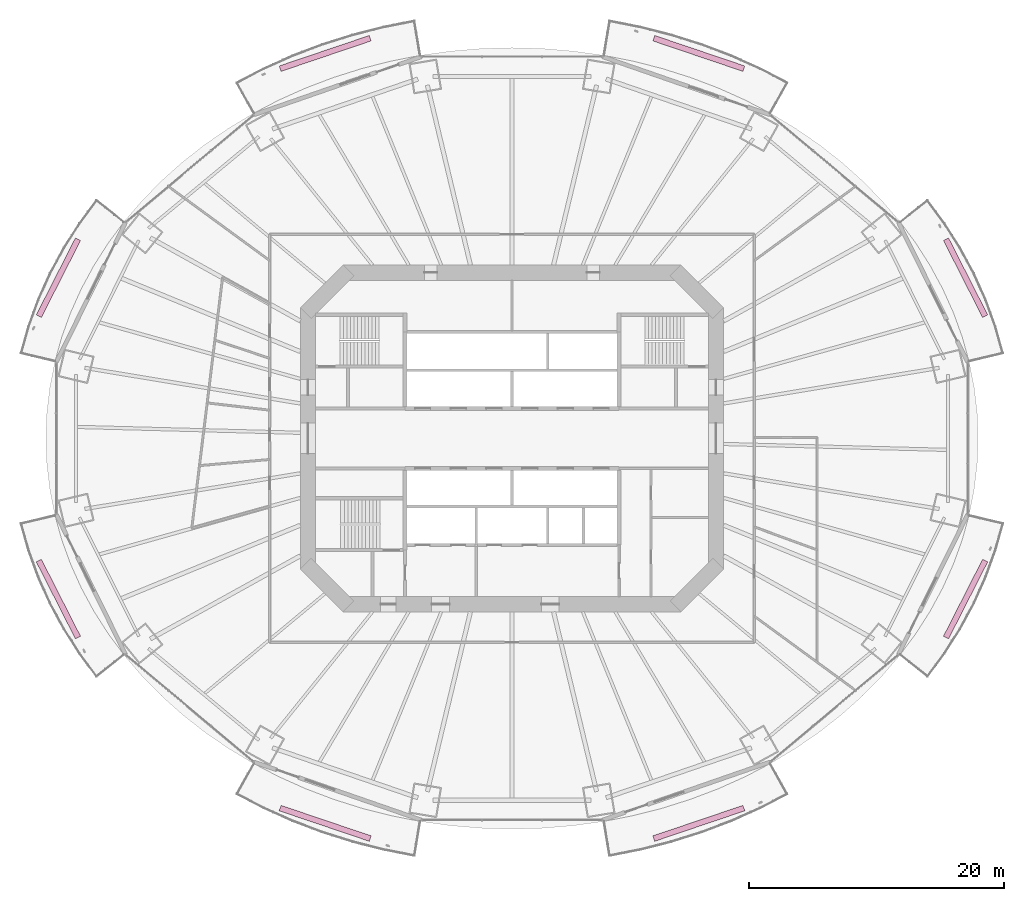
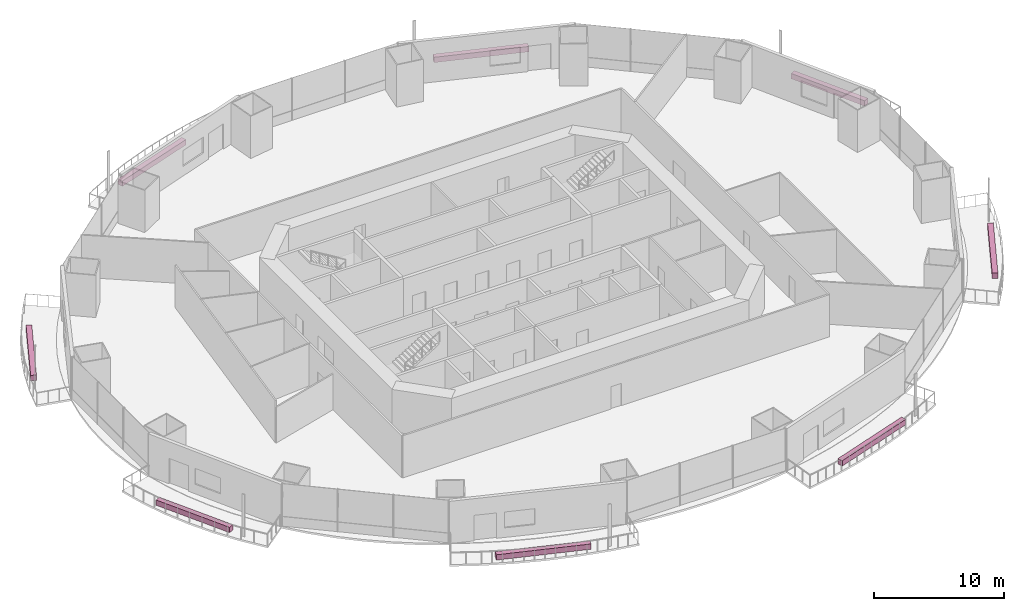
# One storey, part 23 of 23: 8 furnishings.
"""IFC4 building model written with IfcOpenShell, lengths in metres."""

from ifc_helpers import new_model, si_unit, direction, frame, origin, origin_2d, place, context, subcontext, project, spatial, rectangle, extrude, material, type_object, element, save


model = new_model("IFC4")

# Units and contexts
model_context = context("Model", 3, precision=1e-05, world=origin(), true_north=direction((0.0, 1.0)))
body_context = subcontext(model_context, "Body", "Model", "MODEL_VIEW")
ifc_project = project(units=[si_unit("LENGTHUNIT", "METRE"), si_unit("AREAUNIT", "SQUARE_METRE"), si_unit("VOLUMEUNIT", "CUBIC_METRE"), si_unit("PLANEANGLEUNIT", "RADIAN"), si_unit("MASSUNIT", "GRAM", prefix="KILO")], contexts=[model_context])

# Site, building, storey
site_placement = place(None, origin())
site = spatial("IfcSite", under=ifc_project, at=site_placement, CompositionType="ELEMENT")
building_placement = place(site_placement, origin())
building = spatial("IfcBuilding", under=site, at=building_placement, Name="Marenthal Gate Tower", CompositionType="ELEMENT")
storey_placement = place(building_placement, frame((0.0, 0.0, 53.75)))
storey = spatial("IfcBuildingStorey", under=building, at=storey_placement, Name="L09", CompositionType="ELEMENT", Elevation=53.75)

# Furnishings
ifc_material = material(Name="Planting soil and foliage", Category="planting")
furnishing_element_type = type_object("IfcFurnishingElementType", Name="Balcony PLANTER trough", material=ifc_material)
furnishing_1_placement = place(storey_placement, frame((35.56787109375, 12.59912109375, -0.0400390625), z_axis=(0.0, 0.0, 1.0), x_axis=(-0.453475609926, 0.891268686313, 0.0)))
element("IfcFurnishingElement", 1, at=furnishing_1_placement, inside=storey, type_object=furnishing_element_type, Name="Balcony PLANTER L09 bay 1", ObjectType="PLANTER", context=body_context, shape_type="SweptSolid", body=[
    extrude(rectangle(XDim=6.7705078125, YDim=0.449951171875, at=origin_2d()), origin(), (0.0, 0.0, 1.0), 0.5),
])
for number, where, z_axis, x_axis, name in (
    (2, (14.650390625, 30.185546875, -0.0400390625), (0.0, 0.0, 1.0), (-0.947271273085, 0.320432731142, 0.0), "Balcony PLANTER L09 bay 3"),
    (3, (-14.650390625, 30.185546875, -0.0400390625), (0.0, 0.0, 1.0), (-0.947271273085, -0.320432731142, 0.0), "Balcony PLANTER L09 bay 5"),
):
    element("IfcFurnishingElement", number, at=place(storey_placement, frame(where, z_axis=z_axis, x_axis=x_axis)), inside=storey, type_object=furnishing_element_type, Name=name, ObjectType="PLANTER", context=body_context, shape_type="SweptSolid", body=[
        extrude(rectangle(XDim=7.455810546875, YDim=0.449951171875, at=origin_2d()), origin(), (0.0, 0.0, 1.0), 0.5),
    ])
for number, where, z_axis, x_axis, name in (
    (4, (-35.56787109375, 12.59912109375, -0.0400390625), (0.0, 0.0, 1.0), (-0.453475609926, -0.891268686313, 0.0), "Balcony PLANTER L09 bay 7"),
    (5, (-35.56787109375, -12.59912109375, -0.0400390625), (0.0, 0.0, 1.0), (0.453475609926, -0.891268686313, 0.0), "Balcony PLANTER L09 bay 9"),
):
    element("IfcFurnishingElement", number, at=place(storey_placement, frame(where, z_axis=z_axis, x_axis=x_axis)), inside=storey, type_object=furnishing_element_type, Name=name, ObjectType="PLANTER", context=body_context, shape_type="SweptSolid", body=[
        extrude(rectangle(XDim=6.7705078125, YDim=0.449951171875, at=origin_2d()), origin(), (0.0, 0.0, 1.0), 0.5),
    ])
for number, where, z_axis, x_axis, name in (
    (6, (-14.650390625, -30.185546875, -0.0400390625), (0.0, 0.0, 1.0), (0.947271273085, -0.320432731142, 0.0), "Balcony PLANTER L09 bay 11"),
    (7, (14.650390625, -30.185546875, -0.0400390625), (0.0, 0.0, 1.0), (0.947271273085, 0.320432731142, 0.0), "Balcony PLANTER L09 bay 13"),
):
    element("IfcFurnishingElement", number, at=place(storey_placement, frame(where, z_axis=z_axis, x_axis=x_axis)), inside=storey, type_object=furnishing_element_type, Name=name, ObjectType="PLANTER", context=body_context, shape_type="SweptSolid", body=[
        extrude(rectangle(XDim=7.455810546875, YDim=0.449951171875, at=origin_2d()), origin(), (0.0, 0.0, 1.0), 0.5),
    ])
furnishing_2_placement = place(storey_placement, frame((35.56787109375, -12.59912109375, -0.0400390625), z_axis=(0.0, 0.0, 1.0), x_axis=(0.453475609926, 0.891268686313, 0.0)))
element("IfcFurnishingElement", 8, at=furnishing_2_placement, inside=storey, type_object=furnishing_element_type, Name="Balcony PLANTER L09 bay 15", ObjectType="PLANTER", context=body_context, shape_type="SweptSolid", body=[
    extrude(rectangle(XDim=6.7705078125, YDim=0.449951171875, at=origin_2d()), origin(), (0.0, 0.0, 1.0), 0.5),
])

save(model, "model.ifc")
